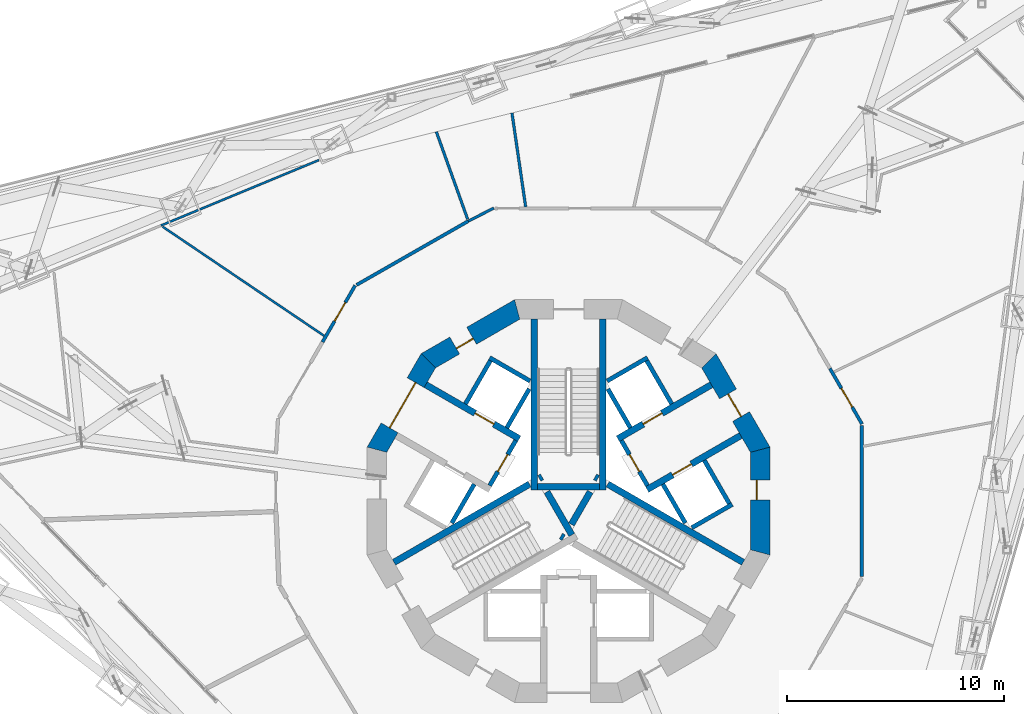
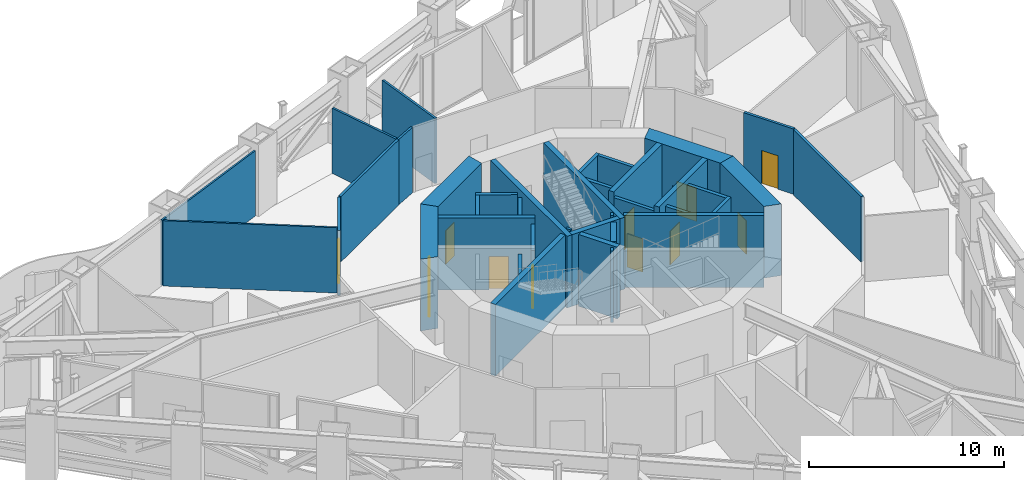
# One storey, part 14 of 26: 38 walls, 11 doors, 11 openings.
"""IFC4 building model written with IfcOpenShell, lengths in metres."""

from ifc_helpers import new_model, si_unit, direction, frame, frame_2d, origin, place, context, subcontext, project, spatial, polyline, rectangle, outline, extrude, material, layer, layer_set, type_object, element, fill, save


model = new_model("IFC4")

# Units and contexts
model_context = context("Model", 3, precision=1e-05, world=origin(), true_north=direction((0.0, 1.0)))
body_context = subcontext(model_context, "Body", "Model", "MODEL_VIEW")
ifc_project = project(units=[si_unit("LENGTHUNIT", "METRE"), si_unit("AREAUNIT", "SQUARE_METRE"), si_unit("VOLUMEUNIT", "CUBIC_METRE"), si_unit("PLANEANGLEUNIT", "RADIAN"), si_unit("MASSUNIT", "GRAM", prefix="KILO")], contexts=[model_context])

# Site, building, storey
site_placement = place(None, origin())
site = spatial("IfcSite", under=ifc_project, at=site_placement, CompositionType="ELEMENT")
building_placement = place(site_placement, origin())
building = spatial("IfcBuilding", under=site, at=building_placement, Name="Trine Commons Tower", CompositionType="ELEMENT")
storey_placement = place(building_placement, frame((0.0, 0.0, 119.699951171875)))
storey = spatial("IfcBuildingStorey", under=building, at=storey_placement, Name="L30", CompositionType="ELEMENT", Elevation=119.699951171875)

# Wall, opening, door
ifc_material_1 = material(Name="Plasterboard on steel stud", Category="steel")
ifc_layer_1 = layer(ifc_material_1, 0.14990234375)
ifc_layer_set_1 = layer_set([ifc_layer_1], Name="Plasterboard on steel stud")
wall_type_1 = type_object("IfcWallType", Name="Compartment wall 150 mm, EI 60", PredefinedType="PARTITIONING", material=ifc_layer_set_1)
wall_1_placement = place(storey_placement, frame((68.671142578125, 69.823486328125, 0.0), z_axis=(0.0, 0.0, 1.0), x_axis=(0.49996374926, 0.866046332147, 0.0)))
wall_1 = element("IfcWall", 1, at=wall_1_placement, inside=storey, type_object=wall_type_1, Name="Partition A30019", PredefinedType="PARTITIONING", context=body_context, shape_type="SweptSolid", body=[
    extrude(rectangle(XDim=3.007080078125, YDim=0.14990234375, at=frame_2d((1.50341796875, 0.0))), origin(), (0.0, 0.0, 1.0), 4.10009765625),
])
opening_1_placement = place(wall_1_placement, frame((1.10498046875, 0.0, 0.0)))
opening_1 = element("IfcOpeningElement", 2, at=opening_1_placement, cuts=wall_1, Name="Opening D-A3004", PredefinedType="OPENING", context=body_context, shape_type="SweptSolid", body=[
    extrude(rectangle(XDim=1.0, YDim=2.10009765625, at=frame_2d((0.5, 1.050048828125))), frame((0.0, 0.0849609375, 0.0), z_axis=(0.0, -1.0, 0.0), x_axis=(1.0, 0.0, 0.0)), (0.0, 0.0, 1.0), 0.169921875),
])
ifc_material_2 = material(Name="Timber fire door set", Category="wood")
door_type_1 = type_object("IfcDoorType", Name="Single swing door 1000x2100, FD30S", OperationType="SINGLE_SWING_LEFT", PredefinedType="DOOR", material=ifc_material_2)
door_1_placement = place(opening_1_placement, origin())
door_1 = element("IfcDoor", 3, at=door_1_placement, inside=storey, type_object=door_type_1, Name="Door D-A3004", OperationType="SINGLE_SWING_LEFT", OverallHeight=2.10009765625, OverallWidth=1.0, PredefinedType="DOOR", context=body_context, shape_type="SweptSolid", body=[
    extrude(rectangle(XDim=1.0, YDim=2.10009765625, at=frame_2d((0.5, 1.050048828125))), frame((0.0, 0.02490234375, 0.0), z_axis=(0.0, -1.0, 0.0), x_axis=(1.0, 0.0, 0.0)), (0.0, 0.0, 1.0), 0.050048828125),
])
fill(opening_1, door_1)

# Wall
wall_2_placement = place(storey_placement, frame((70.240478515625, 72.451904296875, 0.0), z_axis=(0.0, 0.0, 1.0), x_axis=(0.868159442894, 0.496285383337, 0.0)))
element("IfcWall", 4, at=wall_2_placement, inside=storey, type_object=wall_type_1, Name="Partition A30022", PredefinedType="PARTITIONING", context=body_context, shape_type="SweptSolid", body=[
    extrude(rectangle(XDim=5.92431640625, YDim=0.14990234375, at=frame_2d((2.962158203125, 0.0))), origin(), (0.0, 0.0, 1.0), 4.10009765625),
])

# Wall, opening, door
wall_3_placement = place(storey_placement, frame((92.03173828125, 68.606201171875, 0.0), z_axis=(0.0, 0.0, 1.0), x_axis=(0.500036881675, -0.866004109092, 0.0)))
wall_3 = element("IfcWall", 5, at=wall_3_placement, inside=storey, type_object=wall_type_1, Name="Partition A30055", PredefinedType="PARTITIONING", context=body_context, shape_type="SweptSolid", body=[
    extrude(rectangle(XDim=2.957275390625, YDim=0.14990234375, at=frame_2d((1.478515625, 0.0))), origin(), (0.0, 0.0, 1.0), 4.10009765625),
])
opening_2_placement = place(wall_3_placement, frame((1.054931640625, 0.0, 0.0)))
opening_2 = element("IfcOpeningElement", 6, at=opening_2_placement, cuts=wall_3, Name="Opening D-A3017", PredefinedType="OPENING", context=body_context, shape_type="SweptSolid", body=[
    extrude(rectangle(XDim=1.0, YDim=2.10009765625, at=frame_2d((0.5, 1.050048828125))), frame((0.0, 0.0849609375, 0.0), z_axis=(0.0, -1.0, 0.0), x_axis=(1.0, 0.0, 0.0)), (0.0, 0.0, 1.0), 0.169921875),
])
door_2_placement = place(opening_2_placement, origin())
door_2 = element("IfcDoor", 7, at=door_2_placement, inside=storey, type_object=door_type_1, Name="Door D-A3017", OperationType="SINGLE_SWING_LEFT", OverallHeight=2.10009765625, OverallWidth=1.0, PredefinedType="DOOR", context=body_context, shape_type="SweptSolid", body=[
    extrude(rectangle(XDim=1.0, YDim=2.10009765625, at=frame_2d((0.5, 1.050048828125))), frame((0.0, 0.02490234375, 0.0), z_axis=(0.0, -1.0, 0.0), x_axis=(1.0, 0.0, 0.0)), (0.0, 0.0, 1.0), 0.050048828125),
])
fill(opening_2, door_2)

# Wall
wall_4_placement = place(storey_placement, frame((93.498291015625, 59.02392578125, 0.0), z_axis=(0.0, 0.0, 1.0), x_axis=(0.0, 1.0, 0.0)))
element("IfcWall", 8, at=wall_4_placement, inside=storey, type_object=wall_type_1, Name="Partition A30059", PredefinedType="PARTITIONING", context=body_context, shape_type="SweptSolid", body=[
    extrude(rectangle(XDim=6.9521484375, YDim=0.14990234375, at=frame_2d((3.47607421875, 0.0))), origin(), (0.0, 0.0, 1.0), 4.10009765625),
])

# Wall, opening, door
ifc_material_3 = material(Name="Fire-rated gypsum shaft wall system")
ifc_layer_2 = layer(ifc_material_3, 0.199951171875)
ifc_layer_set_2 = layer_set([ifc_layer_2], Name="Fire-rated gypsum shaft wall system")
wall_type_2 = type_object("IfcWallType", Name="Lobby end wall 200 mm, EI 120", PredefinedType="PARTITIONING", material=ifc_layer_set_2)
wall_5_placement = place(storey_placement, frame((77.569091796875, 65.2890625, 0.0), z_axis=(0.0, 0.0, 1.0), x_axis=(-0.50012165622, -0.865955154139, 0.0)))
wall_5 = element("IfcWall", 9, at=wall_5_placement, inside=storey, type_object=wall_type_2, Name="Lobby end wall L30", PredefinedType="PARTITIONING", context=body_context, shape_type="SweptSolid", body=[
    extrude(rectangle(XDim=2.39990234375, YDim=0.199951171875, at=frame_2d((1.199951171875, 0.0))), origin(), (0.0, 0.0, 1.0), 4.150146484375),
])
opening_3_placement = place(wall_5_placement, frame((0.749755859375, 0.0, 0.0)))
opening_3 = element("IfcOpeningElement", 10, at=opening_3_placement, cuts=wall_5, Name="Opening K09.07", PredefinedType="OPENING", context=body_context, shape_type="SweptSolid", body=[
    extrude(rectangle(XDim=0.89990234375, YDim=2.10009765625, at=frame_2d((0.449951171875, 1.050048828125))), frame((0.0, 0.10986328125, 0.0), z_axis=(0.0, -1.0, 0.0), x_axis=(1.0, 0.0, 0.0)), (0.0, 0.0, 1.0), 0.219970703125),
])
ifc_material_4 = material(Name="Steel door leaf, fire-rated", Category="steel")
door_type_2 = type_object("IfcDoorType", Name="Riser access door, single leaf 900 x 2100, FD60", OperationType="SINGLE_SWING_LEFT", PredefinedType="DOOR", material=ifc_material_4)
door_3_placement = place(opening_3_placement, frame((0.89990234375, 0.0, 0.0), z_axis=(0.0, 0.0, 1.0), x_axis=(-1.0, 0.0, 0.0)))
door_3 = element("IfcDoor", 11, at=door_3_placement, inside=storey, type_object=door_type_2, Name="Riser door, Mechanical riser L30", OperationType="SINGLE_SWING_RIGHT", OverallHeight=2.10009765625, OverallWidth=0.89990234375, PredefinedType="DOOR", context=body_context, shape_type="SweptSolid", body=[
    extrude(rectangle(XDim=0.89990234375, YDim=2.10009765625, at=frame_2d((0.449951171875, 1.050048828125))), frame((0.0, 0.02490234375, 0.0), z_axis=(0.0, -1.0, 0.0), x_axis=(1.0, 0.0, 0.0)), (0.0, 0.0, 1.0), 0.050048828125),
])
fill(opening_3, door_3)

wall_6_placement = place(storey_placement, frame((83.631103515625, 63.2109375, 0.0), z_axis=(0.0, 0.0, 1.0), x_axis=(-0.50012165622, 0.865955154139, 0.0)))
wall_6 = element("IfcWall", 12, at=wall_6_placement, inside=storey, type_object=wall_type_2, Name="Lobby end wall L30", PredefinedType="PARTITIONING", context=body_context, shape_type="SweptSolid", body=[
    extrude(rectangle(XDim=2.39990234375, YDim=0.199951171875, at=frame_2d((1.199951171875, 0.0))), origin(), (0.0, 0.0, 1.0), 4.150146484375),
])
opening_4_placement = place(wall_6_placement, frame((0.749755859375, 0.0, 0.0)))
opening_4 = element("IfcOpeningElement", 13, at=opening_4_placement, cuts=wall_6, Name="Opening K09.05", PredefinedType="OPENING", context=body_context, shape_type="SweptSolid", body=[
    extrude(rectangle(XDim=0.89990234375, YDim=2.10009765625, at=frame_2d((0.449951171875, 1.050048828125))), frame((0.0, 0.10986328125, 0.0), z_axis=(0.0, -1.0, 0.0), x_axis=(1.0, 0.0, 0.0)), (0.0, 0.0, 1.0), 0.219970703125),
])
door_4_placement = place(opening_4_placement, frame((0.89990234375, 0.0, 0.0), z_axis=(0.0, 0.0, 1.0), x_axis=(-1.0, 0.0, 0.0)))
door_4 = element("IfcDoor", 14, at=door_4_placement, inside=storey, type_object=door_type_2, Name="Riser door, Electrical riser L30", OperationType="SINGLE_SWING_LEFT", OverallHeight=2.10009765625, OverallWidth=0.89990234375, PredefinedType="DOOR", context=body_context, shape_type="SweptSolid", body=[
    extrude(rectangle(XDim=0.89990234375, YDim=2.10009765625, at=frame_2d((0.449951171875, 1.050048828125))), frame((0.0, 0.02490234375, 0.0), z_axis=(0.0, -1.0, 0.0), x_axis=(1.0, 0.0, 0.0)), (0.0, 0.0, 1.0), 0.050048828125),
])
fill(opening_4, door_4)

# Walls
ifc_layer_3 = layer(ifc_material_1, 0.10009765625)
ifc_layer_set_3 = layer_set([ifc_layer_3], Name="Plasterboard on steel stud")
wall_type_3 = type_object("IfcWallType", Name="Partition wall 100 mm stud, not rated", PredefinedType="PARTITIONING", material=ifc_layer_set_3)
wall_7_placement = place(storey_placement, frame((61.308837890625, 75.134521484375, 0.0), z_axis=(0.0, 0.0, 1.0), x_axis=(0.82847606699, -0.560024469488, 0.0)))
element("IfcWall", 15, at=wall_7_placement, inside=storey, type_object=wall_type_3, Name="Partition A30009", PredefinedType="PARTITIONING", context=body_context, shape_type="SweptSolid", body=[
    extrude(rectangle(XDim=8.975341796875, YDim=0.10009765625, at=frame_2d((4.48779296875, 0.0))), origin(), (0.0, 0.0, 1.0), 4.10009765625),
])
wall_8_placement = place(storey_placement, frame((61.234130859375, 75.1875, 0.0), z_axis=(0.0, 0.0, 1.0), x_axis=(0.92387695728, 0.382689649464, 0.0)))
element("IfcWall", 16, at=wall_8_placement, inside=storey, type_object=wall_type_3, Name="Partition A30010", PredefinedType="PARTITIONING", context=body_context, shape_type="SweptSolid", body=[
    extrude(rectangle(XDim=7.87109375, YDim=0.10009765625, at=frame_2d((3.935546875, 0.0))), origin(), (0.0, 0.0, 1.0), 4.10009765625),
])

# Wall, opening, door
ifc_material_5 = material(Name="Concrete C70/85", Category="concrete")
ifc_layer_4 = layer(ifc_material_5, 0.300048828125)
ifc_layer_set_4 = layer_set([ifc_layer_4], Name="Concrete C70/85")
wall_type_4 = type_object("IfcWallType", Name="RC shear wall 300 mm, C70/85", PredefinedType="SHEAR", material=ifc_layer_set_4)
wall_9_placement = place(storey_placement, frame((77.73095703125, 65.368896484375, 0.0), z_axis=(0.0, 0.0, 1.0), x_axis=(-0.865983655544, 0.500072303102, 0.0)))
wall_9 = element("IfcWall", 17, at=wall_9_placement, inside=storey, type_object=wall_type_4, Name="Core cross wall SWB-02 L30", PredefinedType="SHEAR", context=body_context, shape_type="SweptSolid", body=[
    extrude(rectangle(XDim=4.973388671875, YDim=0.300048828125, at=frame_2d((2.48681640625, 0.0))), origin(), (0.0, 0.0, 1.0), 4.5),
])
opening_5_placement = place(wall_9_placement, frame((1.3505859375, 0.0, 0.0)))
opening_5 = element("IfcOpeningElement", 18, at=opening_5_placement, cuts=wall_9, Name="Opening LD8", PredefinedType="OPENING", context=body_context, shape_type="SweptSolid", body=[
    extrude(rectangle(XDim=1.0, YDim=2.10009765625, at=frame_2d((0.5, 1.050048828125))), frame((0.0, 0.159912109375, 0.0), z_axis=(0.0, -1.0, 0.0), x_axis=(1.0, 0.0, 0.0)), (0.0, 0.0, 1.0), 0.320068359375),
])
ifc_material_6 = material(Name="Stainless steel sliding door leaves", Category="steel")
door_type_3 = type_object("IfcDoorType", Name="Lift landing door, centre-opening sliding 1000 x 2100, FD90", OperationType="DOUBLE_DOOR_SLIDING", PredefinedType="DOOR", material=ifc_material_6)
door_5_placement = place(opening_5_placement, origin())
door_5 = element("IfcDoor", 19, at=door_5_placement, inside=storey, type_object=door_type_3, Name="Lift landing door HR4 L30", OperationType="DOUBLE_DOOR_SLIDING", OverallHeight=2.10009765625, OverallWidth=1.0, PredefinedType="DOOR", context=body_context, shape_type="SweptSolid", body=[
    extrude(rectangle(XDim=1.0, YDim=2.10009765625, at=frame_2d((0.5, 1.050048828125))), frame((0.0, 0.02490234375, 0.0), z_axis=(0.0, -1.0, 0.0), x_axis=(1.0, 0.0, 0.0)), (0.0, 0.0, 1.0), 0.050048828125),
])
fill(opening_5, door_5)

wall_10_placement = place(storey_placement, frame((82.26904296875, 65.368896484375, 0.0), z_axis=(0.0, 0.0, 1.0), x_axis=(0.865983655544, 0.500072303102, 0.0)))
wall_10 = element("IfcWall", 20, at=wall_10_placement, inside=storey, type_object=wall_type_4, Name="Core cross wall SWB-05 L30", PredefinedType="SHEAR", context=body_context, shape_type="SweptSolid", body=[
    extrude(rectangle(XDim=4.973388671875, YDim=0.300048828125, at=frame_2d((2.48681640625, 0.0))), origin(), (0.0, 0.0, 1.0), 4.5),
])
opening_6_placement = place(wall_10_placement, frame((1.3505859375, 0.0, 0.0)))
opening_6 = element("IfcOpeningElement", 21, at=opening_6_placement, cuts=wall_10, Name="Opening LD5", PredefinedType="OPENING", context=body_context, shape_type="SweptSolid", body=[
    extrude(rectangle(XDim=1.0, YDim=2.10009765625, at=frame_2d((0.5, 1.050048828125))), frame((0.0, 0.159912109375, 0.0), z_axis=(0.0, -1.0, 0.0), x_axis=(1.0, 0.0, 0.0)), (0.0, 0.0, 1.0), 0.320068359375),
])
door_6_placement = place(opening_6_placement, origin())
door_6 = element("IfcDoor", 22, at=door_6_placement, inside=storey, type_object=door_type_3, Name="Lift landing door HR1 L30", OperationType="DOUBLE_DOOR_SLIDING", OverallHeight=2.10009765625, OverallWidth=1.0, PredefinedType="DOOR", context=body_context, shape_type="SweptSolid", body=[
    extrude(rectangle(XDim=1.0, YDim=2.10009765625, at=frame_2d((0.5, 1.050048828125))), frame((0.0, 0.02490234375, 0.0), z_axis=(0.0, -1.0, 0.0), x_axis=(1.0, 0.0, 0.0)), (0.0, 0.0, 1.0), 0.050048828125),
])
fill(opening_6, door_6)

wall_11_placement = place(storey_placement, frame((83.618896484375, 63.031005859375, 0.0), z_axis=(0.0, 0.0, 1.0), x_axis=(0.866080953719, 0.499903772346, 0.0)))
wall_11 = element("IfcWall", 23, at=wall_11_placement, inside=storey, type_object=wall_type_4, Name="Core cross wall SWB-06 L30", PredefinedType="SHEAR", context=body_context, shape_type="SweptSolid", body=[
    extrude(rectangle(XDim=4.97314453125, YDim=0.300048828125, at=frame_2d((2.486572265625, 0.0))), origin(), (0.0, 0.0, 1.0), 4.5),
])
opening_7_placement = place(wall_11_placement, frame((1.350341796875, 0.0, 0.0)))
opening_7 = element("IfcOpeningElement", 24, at=opening_7_placement, cuts=wall_11, Name="Opening LD6", PredefinedType="OPENING", context=body_context, shape_type="SweptSolid", body=[
    extrude(rectangle(XDim=1.0, YDim=2.10009765625, at=frame_2d((0.5, 1.050048828125))), frame((0.0, 0.159912109375, 0.0), z_axis=(0.0, -1.0, 0.0), x_axis=(1.0, 0.0, 0.0)), (0.0, 0.0, 1.0), 0.320068359375),
])
door_7_placement = place(opening_7_placement, origin())
door_7 = element("IfcDoor", 25, at=door_7_placement, inside=storey, type_object=door_type_3, Name="Lift landing door HR2 L30", OperationType="DOUBLE_DOOR_SLIDING", OverallHeight=2.10009765625, OverallWidth=1.0, PredefinedType="DOOR", context=body_context, shape_type="SweptSolid", body=[
    extrude(rectangle(XDim=1.0, YDim=2.10009765625, at=frame_2d((0.5, 1.050048828125))), frame((0.0, 0.02490234375, 0.0), z_axis=(0.0, -1.0, 0.0), x_axis=(1.0, 0.0, 0.0)), (0.0, 0.0, 1.0), 0.050048828125),
])
fill(opening_7, door_7)

# Walls
wall_12_placement = place(storey_placement, frame((78.199951171875, 63.280029296875, 0.0), z_axis=(0.0, 0.0, 1.0), x_axis=(-0.866028135082, -0.499995269223, 0.0)))
element("IfcWall", 26, at=wall_12_placement, inside=storey, type_object=wall_type_4, Name="Core cross wall SWB-07 L30", PredefinedType="SHEAR", context=body_context, shape_type="SweptSolid", body=[
    extrude(rectangle(XDim=7.2041015625, YDim=0.300048828125, at=frame_2d((3.60205078125, 0.0))), origin(), (0.0, 0.0, 1.0), 4.5),
])
wall_13_placement = place(storey_placement, frame((78.425048828125, 63.0009765625, 0.0), z_axis=(0.0, 0.0, 1.0), x_axis=(0.0, 1.0, 0.0)))
element("IfcWall", 27, at=wall_13_placement, inside=storey, type_object=wall_type_4, Name="Core cross wall SWB-08 L30", PredefinedType="SHEAR", context=body_context, shape_type="SweptSolid", body=[
    extrude(rectangle(XDim=7.8720703125, YDim=0.300048828125, at=frame_2d((3.93603515625, 0.0))), origin(), (0.0, 0.0, 1.0), 4.5),
])
wall_14_placement = place(storey_placement, frame((78.779052734375, 63.614013671875, 0.0), z_axis=(0.0, 0.0, 1.0), x_axis=(-0.867737973955, -0.497021939713, 0.0)))
element("IfcWall", 28, at=wall_14_placement, inside=storey, type_object=wall_type_4, Name="Core cross wall SWB-09 L30", PredefinedType="SHEAR", context=body_context, shape_type="SweptSolid", body=[
    extrude(rectangle(XDim=0.14892578125, YDim=0.300048828125, at=frame_2d((0.074462890625, 0.0))), origin(), (0.0, 0.0, 1.0), 4.5),
])
wall_15_placement = place(storey_placement, frame((79.0029296875, 62.926025390625, 0.0), z_axis=(0.0, 0.0, 1.0), x_axis=(0.499965247104, -0.866045467449, 0.0)))
element("IfcWall", 29, at=wall_15_placement, inside=storey, type_object=wall_type_4, Name="Core cross wall SWB-10 L30", PredefinedType="SHEAR", context=body_context, shape_type="SweptSolid", body=[
    extrude(rectangle(XDim=2.292236328125, YDim=0.300048828125, at=frame_2d((1.14599609375, 0.0))), origin(), (0.0, 0.0, 1.0), 4.5),
])
wall_16_placement = place(storey_placement, frame((79.64599609375, 60.885986328125, 0.0), z_axis=(0.0, 0.0, 1.0), x_axis=(0.867331893649, -0.497730234424, 0.0)))
element("IfcWall", 30, at=wall_16_placement, inside=storey, type_object=wall_type_4, Name="Core cross wall SWB-11 L30", PredefinedType="SHEAR", context=body_context, shape_type="SweptSolid", body=[
    extrude(rectangle(XDim=0.148681640625, YDim=0.300048828125, at=frame_2d((0.07421875, 0.0))), origin(), (0.0, 0.0, 1.0), 4.5),
])
wall_17_placement = place(storey_placement, frame((80.1298828125, 61.424072265625, 0.0), z_axis=(0.0, 0.0, 1.0), x_axis=(0.500014901547, 0.866016800201, 0.0)))
element("IfcWall", 31, at=wall_17_placement, inside=storey, type_object=wall_type_4, Name="Core cross wall SWB-12 L30", PredefinedType="SHEAR", context=body_context, shape_type="SweptSolid", body=[
    extrude(rectangle(XDim=1.734375, YDim=0.300048828125, at=frame_2d((0.8671875, 0.0))), origin(), (0.0, 0.0, 1.0), 4.5),
])
wall_18_placement = place(storey_placement, frame((81.220947265625, 63.614013671875, 0.0), z_axis=(0.0, 0.0, 1.0), x_axis=(0.867737973955, -0.497021939713, 0.0)))
element("IfcWall", 32, at=wall_18_placement, inside=storey, type_object=wall_type_4, Name="Core cross wall SWB-15 L30", PredefinedType="SHEAR", context=body_context, shape_type="SweptSolid", body=[
    extrude(rectangle(XDim=0.14892578125, YDim=0.300048828125, at=frame_2d((0.074462890625, 0.0))), origin(), (0.0, 0.0, 1.0), 4.5),
])
wall_19_placement = place(storey_placement, frame((81.425048828125, 63.15087890625, 0.0), z_axis=(0.0, 0.0, 1.0), x_axis=(-1.0, 0.0, 0.0)))
element("IfcWall", 33, at=wall_19_placement, inside=storey, type_object=wall_type_4, Name="Core cross wall SWB-16 L30", PredefinedType="SHEAR", context=body_context, shape_type="SweptSolid", body=[
    extrude(rectangle(XDim=2.85009765625, YDim=0.300048828125, at=frame_2d((1.425048828125, 0.0))), origin(), (0.0, 0.0, 1.0), 4.5),
])
wall_20_placement = place(storey_placement, frame((81.574951171875, 63.0009765625, 0.0), z_axis=(0.0, 0.0, 1.0), x_axis=(0.0, 1.0, 0.0)))
element("IfcWall", 34, at=wall_20_placement, inside=storey, type_object=wall_type_4, Name="Core cross wall SWB-17 L30", PredefinedType="SHEAR", context=body_context, shape_type="SweptSolid", body=[
    extrude(rectangle(XDim=7.8720703125, YDim=0.300048828125, at=frame_2d((3.93603515625, 0.0))), origin(), (0.0, 0.0, 1.0), 4.5),
])
wall_21_placement = place(storey_placement, frame((81.800048828125, 63.280029296875, 0.0), z_axis=(0.0, 0.0, 1.0), x_axis=(0.866028135082, -0.499995269223, 0.0)))
element("IfcWall", 35, at=wall_21_placement, inside=storey, type_object=wall_type_4, Name="Core cross wall SWB-18 L30", PredefinedType="SHEAR", context=body_context, shape_type="SweptSolid", body=[
    extrude(rectangle(XDim=7.2041015625, YDim=0.300048828125, at=frame_2d((3.60205078125, 0.0))), origin(), (0.0, 0.0, 1.0), 4.5),
])

# Wall, opening, door
ifc_layer_5 = layer(ifc_material_5, 0.89990234375)
ifc_layer_set_5 = layer_set([ifc_layer_5], Name="Concrete C70/85")
wall_type_5 = type_object("IfcWallType", Name="RC shear wall 900 mm, C70/85", PredefinedType="SHEAR", material=ifc_layer_set_5)
wall_22_placement = place(storey_placement, frame((88.822998046875, 60.015380859375, 0.0), z_axis=(0.0, 0.0, 1.0), x_axis=(0.0, 1.0, 0.0)))
wall_22 = element("IfcWall", 36, at=wall_22_placement, inside=storey, type_object=wall_type_5, Name="Core wall CWD-01 L30", PredefinedType="SHEAR", context=body_context, shape_type="SweptSolid", body=[
    extrude(outline(polyline([(0.0, -0.449951171875), (4.969482421875, -0.449951171875), (4.728271484375, 0.449951171875), (0.2412109375, 0.449951171875), (0.0, -0.449951171875)])), origin(), (0.0, 0.0, 1.0), 4.5),
])
opening_8_placement = place(wall_22_placement, frame((2.543701171875, 0.0, 0.0)))
opening_8 = element("IfcOpeningElement", 37, at=opening_8_placement, cuts=wall_22, Name="Opening K09.10", PredefinedType="OPENING", context=body_context, shape_type="SweptSolid", body=[
    extrude(rectangle(XDim=0.89990234375, YDim=2.10009765625, at=frame_2d((0.449951171875, 1.050048828125))), frame((0.0, 0.4599609375, 0.0), z_axis=(0.0, -1.0, 0.0), x_axis=(1.0, 0.0, 0.0)), (0.0, 0.0, 1.0), 0.919921875),
])
door_type_4 = type_object("IfcDoorType", Name="Core room door, single leaf 900 x 2100, FD30S", OperationType="SINGLE_SWING_LEFT", PredefinedType="DOOR", material=ifc_material_4)
door_8_placement = place(opening_8_placement, origin())
door_8 = element("IfcDoor", 38, at=door_8_placement, inside=storey, type_object=door_type_4, Name="Door to Core WC L30", OperationType="SINGLE_SWING_RIGHT", OverallHeight=2.10009765625, OverallWidth=0.89990234375, PredefinedType="DOOR", context=body_context, shape_type="SweptSolid", body=[
    extrude(rectangle(XDim=0.89990234375, YDim=2.10009765625, at=frame_2d((0.449951171875, 1.050048828125))), frame((0.0, 0.1748046875, 0.0), z_axis=(0.0, -1.0, 0.0), x_axis=(1.0, 0.0, 0.0)), (0.0, 0.0, 1.0), 0.050048828125),
])
fill(opening_8, door_8)

wall_23_placement = place(storey_placement, frame((88.88330078125, 64.759765625, 0.0), z_axis=(0.0, 0.0, 1.0), x_axis=(-0.500038571144, 0.866003133579, 0.0)))
wall_23 = element("IfcWall", 39, at=wall_23_placement, inside=storey, type_object=wall_type_5, Name="Core wall CWD-02 L30", PredefinedType="SHEAR", context=body_context, shape_type="SweptSolid", body=[
    extrude(outline(polyline([(0.0, -0.449951171875), (4.96923828125, -0.449951171875), (4.72802734375, 0.449951171875), (0.2412109375, 0.449951171875), (0.0, -0.449951171875)])), origin(), (0.0, 0.0, 1.0), 4.5),
])
opening_9_placement = place(wall_23_placement, frame((1.884521484375, 0.0, 0.0)))
opening_9 = element("IfcOpeningElement", 40, at=opening_9_placement, cuts=wall_23, Name="Opening K09.04", PredefinedType="OPENING", context=body_context, shape_type="SweptSolid", body=[
    extrude(rectangle(XDim=1.199951171875, YDim=2.10009765625, at=frame_2d((0.60009765625, 1.050048828125))), frame((0.0, 0.4599609375, 0.0), z_axis=(0.0, -1.0, 0.0), x_axis=(1.0, 0.0, 0.0)), (0.0, 0.0, 1.0), 0.919921875),
])
ifc_material_7 = material(Name="Steel door leaves, fire-rated", Category="steel")
door_type_5 = type_object("IfcDoorType", Name="Lobby door, double leaf 1200 x 2100, FD60", OperationType="DOUBLE_DOOR_SINGLE_SWING", PredefinedType="DOOR", material=ifc_material_7)
door_9_placement = place(opening_9_placement, origin())
door_9 = element("IfcDoor", 41, at=door_9_placement, inside=storey, type_object=door_type_5, Name="Lobby door, Passenger lift lobby A L30", OperationType="DOUBLE_DOOR_SINGLE_SWING", OverallHeight=2.10009765625, OverallWidth=1.199951171875, PredefinedType="DOOR", context=body_context, shape_type="SweptSolid", body=[
    extrude(rectangle(XDim=1.199951171875, YDim=2.10009765625, at=frame_2d((0.60009765625, 1.050048828125))), frame((0.0, 0.02490234375, 0.0), z_axis=(0.0, -1.0, 0.0), x_axis=(1.0, 0.0, 0.0)), (0.0, 0.0, 1.0), 0.050048828125),
])
fill(opening_9, door_9)

wall_24_placement = place(storey_placement, frame((77.740234375, 71.38330078125, 0.0), z_axis=(0.0, 0.0, 1.0), x_axis=(-0.866003133579, -0.500038571144, 0.0)))
wall_24 = element("IfcWall", 42, at=wall_24_placement, inside=storey, type_object=wall_type_5, Name="Core wall CWD-05 L30", PredefinedType="SHEAR", context=body_context, shape_type="SweptSolid", body=[
    extrude(outline(polyline([(0.0, -0.449951171875), (4.96923828125, -0.449951171875), (4.72802734375, 0.449951171875), (0.2412109375, 0.449951171875), (0.0, -0.449951171875)])), origin(), (0.0, 0.0, 1.0), 4.5),
])
opening_10_placement = place(wall_24_placement, frame((2.544921875, 0.0, 0.0)))
opening_10 = element("IfcOpeningElement", 43, at=opening_10_placement, cuts=wall_24, Name="Opening K09.12", PredefinedType="OPENING", context=body_context, shape_type="SweptSolid", body=[
    extrude(rectangle(XDim=0.89990234375, YDim=2.10009765625, at=frame_2d((0.449951171875, 1.050048828125))), frame((0.0, 0.4599609375, 0.0), z_axis=(0.0, -1.0, 0.0), x_axis=(1.0, 0.0, 0.0)), (0.0, 0.0, 1.0), 0.919921875),
])
door_10_placement = place(opening_10_placement, origin())
door_10 = element("IfcDoor", 44, at=door_10_placement, inside=storey, type_object=door_type_4, Name="Door to Pantry L30", OperationType="SINGLE_SWING_RIGHT", OverallHeight=2.10009765625, OverallWidth=0.89990234375, PredefinedType="DOOR", context=body_context, shape_type="SweptSolid", body=[
    extrude(rectangle(XDim=0.89990234375, YDim=2.10009765625, at=frame_2d((0.449951171875, 1.050048828125))), frame((0.0, 0.1748046875, 0.0), z_axis=(0.0, -1.0, 0.0), x_axis=(1.0, 0.0, 0.0)), (0.0, 0.0, 1.0), 0.050048828125),
])
fill(opening_10, door_10)

wall_25_placement = place(storey_placement, frame((73.6015625, 69.063232421875, 0.0), z_axis=(0.0, 0.0, 1.0), x_axis=(-0.500038571144, -0.866003133579, 0.0)))
wall_25 = element("IfcWall", 45, at=wall_25_placement, inside=storey, type_object=wall_type_5, Name="Core wall CWD-06 L30", PredefinedType="SHEAR", context=body_context, shape_type="SweptSolid", body=[
    extrude(outline(polyline([(0.0, -0.449951171875), (4.96923828125, -0.449951171875), (4.72802734375, 0.449951171875), (0.2412109375, 0.449951171875), (0.0, -0.449951171875)])), origin(), (0.0, 0.0, 1.0), 4.5),
])
opening_11_placement = place(wall_25_placement, frame((1.28466796875, 0.0, 0.0)))
opening_11 = element("IfcOpeningElement", 46, at=opening_11_placement, cuts=wall_25, Name="Opening K09.06", PredefinedType="OPENING", context=body_context, shape_type="SweptSolid", body=[
    extrude(rectangle(XDim=2.39990234375, YDim=2.10009765625, at=frame_2d((1.199951171875, 1.050048828125))), frame((0.0, 0.4599609375, 0.0), z_axis=(0.0, -1.0, 0.0), x_axis=(1.0, 0.0, 0.0)), (0.0, 0.0, 1.0), 0.919921875),
])
door_type_6 = type_object("IfcDoorType", Name="Lobby door, double leaf 2400 x 2100, FD60", OperationType="DOUBLE_DOOR_SINGLE_SWING", PredefinedType="DOOR", material=ifc_material_7)
door_11_placement = place(opening_11_placement, origin())
door_11 = element("IfcDoor", 47, at=door_11_placement, inside=storey, type_object=door_type_6, Name="Lobby door, Passenger lift lobby B L30", OperationType="DOUBLE_DOOR_SINGLE_SWING", OverallHeight=2.10009765625, OverallWidth=2.39990234375, PredefinedType="DOOR", context=body_context, shape_type="SweptSolid", body=[
    extrude(rectangle(XDim=2.39990234375, YDim=2.10009765625, at=frame_2d((1.199951171875, 1.050048828125))), frame((0.0, 0.02490234375, 0.0), z_axis=(0.0, -1.0, 0.0), x_axis=(1.0, 0.0, 0.0)), (0.0, 0.0, 1.0), 0.050048828125),
])
fill(opening_11, door_11)

# Walls
ifc_layer_6 = layer(ifc_material_3, 0.199951171875)
ifc_layer_set_6 = layer_set([ifc_layer_6], Name="Fire-rated gypsum shaft wall system")
wall_type_6 = type_object("IfcWallType", Name="Shaft wall 200 mm, EI 120", PredefinedType="PARTITIONING", material=ifc_layer_set_6)
wall_26_placement = place(storey_placement, frame((75.2509765625, 66.97412109375, 0.0), z_axis=(0.0, 0.0, 1.0), x_axis=(0.500136062276, 0.86594683394, 0.0)))
element("IfcWall", 48, at=wall_26_placement, inside=storey, type_object=wall_type_6, Name="Shaft wall L30", PredefinedType="PARTITIONING", context=body_context, shape_type="SweptSolid", body=[
    extrude(rectangle(XDim=2.299072265625, YDim=0.199951171875, at=frame_2d((1.1494140625, 0.0))), origin(), (0.0, 0.0, 1.0), 4.150146484375),
])
wall_27_placement = place(storey_placement, frame((75.656005859375, 63.27587890625, 0.0), z_axis=(0.0, 0.0, 1.0), x_axis=(-0.500271688072, -0.86586848777, 0.0)))
element("IfcWall", 49, at=wall_27_placement, inside=storey, type_object=wall_type_6, Name="Shaft wall L30", PredefinedType="PARTITIONING", context=body_context, shape_type="SweptSolid", body=[
    extrude(rectangle(XDim=2.064697265625, YDim=0.199951171875, at=frame_2d((1.0322265625, 0.0))), origin(), (0.0, 0.0, 1.0), 4.150146484375),
])
wall_28_placement = place(storey_placement, frame((77.156005859375, 65.8740234375, 0.0), z_axis=(0.0, 0.0, 1.0), x_axis=(0.499865770674, 0.866102887253, 0.0)))
element("IfcWall", 50, at=wall_28_placement, inside=storey, type_object=wall_type_6, Name="Shaft wall L30", PredefinedType="PARTITIONING", context=body_context, shape_type="SweptSolid", body=[
    extrude(rectangle(XDim=2.064453125, YDim=0.199951171875, at=frame_2d((1.0322265625, 0.0))), origin(), (0.0, 0.0, 1.0), 4.150146484375),
])
for number, where, z_axis, x_axis, name in (
    (51, (78.22509765625, 68.028076171875, 0.0), (0.0, 0.0, 1.0), (-0.866130725101, 0.499817533742, 0.0), "Shaft wall L30"),
    (52, (81.77490234375, 68.028076171875, 0.0), (0.0, 0.0, 1.0), (0.866130725101, 0.499817533742, 0.0), "Shaft wall L30"),
):
    element("IfcWall", number, at=place(storey_placement, frame(where, z_axis=z_axis, x_axis=x_axis)), inside=storey, type_object=wall_type_6, Name=name, PredefinedType="PARTITIONING", context=body_context, shape_type="SweptSolid", body=[
        extrude(rectangle(XDim=2.148681640625, YDim=0.199951171875, at=frame_2d((1.07421875, 0.0))), origin(), (0.0, 0.0, 1.0), 4.150146484375),
    ])
wall_29_placement = place(storey_placement, frame((82.843994140625, 65.8740234375, 0.0), z_axis=(0.0, 0.0, 1.0), x_axis=(-0.499865770674, 0.866102887253, 0.0)))
element("IfcWall", 53, at=wall_29_placement, inside=storey, type_object=wall_type_6, Name="Shaft wall L30", PredefinedType="PARTITIONING", context=body_context, shape_type="SweptSolid", body=[
    extrude(rectangle(XDim=2.064453125, YDim=0.199951171875, at=frame_2d((1.0322265625, 0.0))), origin(), (0.0, 0.0, 1.0), 4.150146484375),
])
wall_30_placement = place(storey_placement, frame((84.343994140625, 63.27587890625, 0.0), z_axis=(0.0, 0.0, 1.0), x_axis=(0.500271688072, -0.86586848777, 0.0)))
element("IfcWall", 54, at=wall_30_placement, inside=storey, type_object=wall_type_6, Name="Shaft wall L30", PredefinedType="PARTITIONING", context=body_context, shape_type="SweptSolid", body=[
    extrude(rectangle(XDim=2.064697265625, YDim=0.199951171875, at=frame_2d((1.0322265625, 0.0))), origin(), (0.0, 0.0, 1.0), 4.150146484375),
])
wall_31_placement = place(storey_placement, frame((84.7490234375, 66.97412109375, 0.0), z_axis=(0.0, 0.0, 1.0), x_axis=(-0.500136062276, 0.86594683394, 0.0)))
element("IfcWall", 55, at=wall_31_placement, inside=storey, type_object=wall_type_6, Name="Shaft wall L30", PredefinedType="PARTITIONING", context=body_context, shape_type="SweptSolid", body=[
    extrude(rectangle(XDim=2.299072265625, YDim=0.199951171875, at=frame_2d((1.1494140625, 0.0))), origin(), (0.0, 0.0, 1.0), 4.150146484375),
])
wall_32_placement = place(storey_placement, frame((85.675048828125, 61.27392578125, 0.0), z_axis=(0.0, 0.0, 1.0), x_axis=(0.866102336459, 0.499866725018, 0.0)))
element("IfcWall", 56, at=wall_32_placement, inside=storey, type_object=wall_type_6, Name="Shaft wall L30", PredefinedType="PARTITIONING", context=body_context, shape_type="SweptSolid", body=[
    extrude(rectangle(XDim=2.1484375, YDim=0.199951171875, at=frame_2d((1.07421875, 0.0))), origin(), (0.0, 0.0, 1.0), 4.150146484375),
])
wall_33_placement = place(storey_placement, frame((86.2490234375, 64.3759765625, 0.0), z_axis=(0.0, 0.0, 1.0), x_axis=(0.500136062276, -0.86594683394, 0.0)))
element("IfcWall", 57, at=wall_33_placement, inside=storey, type_object=wall_type_6, Name="Shaft wall L30", PredefinedType="PARTITIONING", context=body_context, shape_type="SweptSolid", body=[
    extrude(rectangle(XDim=2.299072265625, YDim=0.199951171875, at=frame_2d((1.1494140625, 0.0))), origin(), (0.0, 0.0, 1.0), 4.150146484375),
])
ifc_layer_7 = layer(ifc_material_1, 0.125)
ifc_layer_set_7 = layer_set([ifc_layer_7], Name="Plasterboard on steel stud")
wall_type_7 = type_object("IfcWallType", Name="Wet wall 125 mm stud, not rated", PredefinedType="PARTITIONING", material=ifc_layer_set_7)
wall_34_placement = place(storey_placement, frame((73.912353515625, 79.501220703125, 0.0), z_axis=(0.0, 0.0, 1.0), x_axis=(0.337110081873, -0.941465237117, 0.0)))
element("IfcWall", 58, at=wall_34_placement, inside=storey, type_object=wall_type_7, Name="Partition A30025", PredefinedType="PARTITIONING", context=body_context, shape_type="SweptSolid", body=[
    extrude(rectangle(XDim=4.277099609375, YDim=0.125, at=frame_2d((2.138671875, 0.0))), origin(), (0.0, 0.0, 1.0), 4.10009765625),
])
wall_35_placement = place(storey_placement, frame((75.383544921875, 75.391845703125, 0.0), z_axis=(0.0, 0.0, 1.0), x_axis=(0.892070776282, 0.451895707109, 0.0)))
element("IfcWall", 59, at=wall_35_placement, inside=storey, type_object=wall_type_7, Name="Partition A30026", PredefinedType="PARTITIONING", context=body_context, shape_type="SweptSolid", body=[
    extrude(rectangle(XDim=1.312255859375, YDim=0.125, at=frame_2d((0.65625, 0.0))), origin(), (0.0, 0.0, 1.0), 4.10009765625),
])
wall_36_placement = place(storey_placement, frame((77.393798828125, 80.369140625, 0.0), z_axis=(0.0, 0.0, 1.0), x_axis=(0.1443456374, -0.989527330074, 0.0)))
element("IfcWall", 60, at=wall_36_placement, inside=storey, type_object=wall_type_7, Name="Partition A30029", PredefinedType="PARTITIONING", context=body_context, shape_type="SweptSolid", body=[
    extrude(rectangle(XDim=4.370361328125, YDim=0.125, at=frame_2d((2.18505859375, 0.0))), origin(), (0.0, 0.0, 1.0), 4.10009765625),
])

save(model, "model.ifc")
